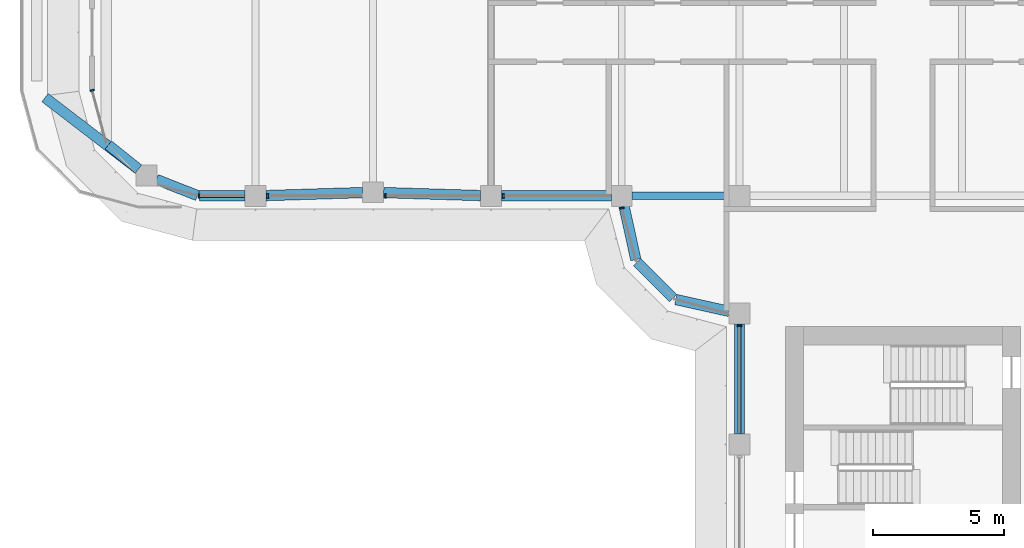
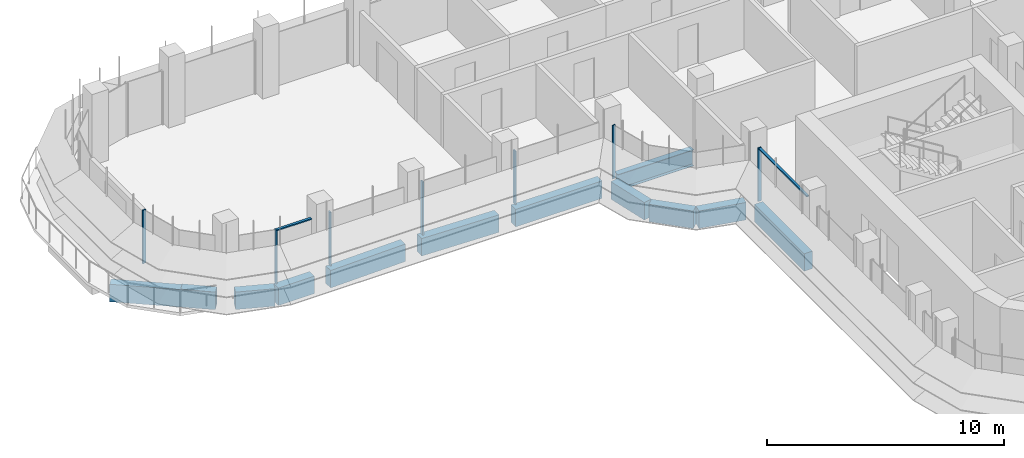
# One storey, part 3 of 20: 12 beams, 9 members, 4 elements without a shape of their own.
"""IFC4 building model written with IfcOpenShell, lengths in metres."""

from ifc_helpers import new_model, si_unit, direction, frame, origin, origin_2d, place, context, subcontext, project, spatial, polyline, rectangle, i_section, outline, extrude, source, transform, mapped, material, material_profile, profile_set, type_object, element, aggregate, save


model = new_model("IFC4")

# Units and contexts
model_context = context("Model", 3, precision=1e-05, world=origin(), true_north=direction((0.0, 1.0)))
body_context = subcontext(model_context, "Body", "Model", "MODEL_VIEW")
ifc_project = project(units=[si_unit("LENGTHUNIT", "METRE"), si_unit("AREAUNIT", "SQUARE_METRE"), si_unit("VOLUMEUNIT", "CUBIC_METRE"), si_unit("PLANEANGLEUNIT", "RADIAN"), si_unit("MASSUNIT", "GRAM", prefix="KILO")], contexts=[model_context])

# Site, building, storey
site_placement = place(None, origin())
site = spatial("IfcSite", under=ifc_project, at=site_placement, CompositionType="ELEMENT")
building_placement = place(site_placement, origin())
building = spatial("IfcBuilding", under=site, at=building_placement, Name="Zarbagh Exchange Tower", CompositionType="ELEMENT")
storey_placement = place(building_placement, frame((0.0, 0.0, 186.60009765625)))
storey = spatial("IfcBuildingStorey", under=building, at=storey_placement, Name="L45", CompositionType="ELEMENT", Elevation=186.60009765625)

# Beams
ifc_material_1 = material(Name="Steel ASTM A992 Gr 50", Category="steel")
ifc_material_profile_1 = material_profile(ifc_material_1, i_section(OverallWidth=0.2919921875, OverallDepth=0.835693359375, WebThickness=0.013916015625, FlangeThickness=0.018798828125, at=origin_2d()), Name="W33X118")
ifc_profile_set_1 = profile_set([ifc_material_profile_1], Name="Steel ASTM A992 Gr 50")
beam_type_1 = type_object("IfcBeamType", Name="Floor girder W33X118", PredefinedType="BEAM", material=ifc_profile_set_1)
beam_1_placement = place(storey_placement, frame((-10.35009765625, -6.25, -0.56787109375), z_axis=(1.0, 0.0, 0.0), x_axis=(0.0, 1.0, 0.0)))
element("IfcBeam", 1, at=beam_1_placement, inside=storey, type_object=beam_type_1, Name="Steel girder", PredefinedType="BEAM", context=body_context, shape_type="SweptSolid", body=[
    extrude(i_section(OverallWidth=0.2919921875, OverallDepth=0.835693359375, WebThickness=0.013916015625, FlangeThickness=0.018798828125, at=origin_2d()), origin(), (0.0, 0.0, 1.0), 3.7001953125),
])
ifc_material_2 = material(Name="Concrete C50/60", Category="concrete")
ifc_material_profile_2 = material_profile(ifc_material_2, rectangle(XDim=0.39990234375, YDim=0.89990234375, at=origin_2d()), Name="RC spandrel beam 400 x 900 C50/60")
ifc_profile_set_2 = profile_set([ifc_material_profile_2], Name="Concrete C50/60")
beam_type_2 = type_object("IfcBeamType", Name="RC spandrel beam 400 x 900 C50/60", PredefinedType="SPANDREL", material=ifc_profile_set_2)
beam_2_placement = place(storey_placement, frame((-6.25, -15.35009765625, -0.60009765625), z_axis=(0.0, 1.0, 0.0), x_axis=(-1.0, 0.0, 0.0)))
element("IfcBeam", 2, at=beam_2_placement, inside=storey, type_object=beam_type_2, Name="RC spandrel beam", PredefinedType="SPANDREL", context=body_context, shape_type="SweptSolid", body=[
    extrude(rectangle(XDim=0.39990234375, YDim=0.89990234375, at=origin_2d()), origin(), (0.0, 0.0, 1.0), 4.2001953125),
])
beam_3_placement = place(storey_placement, frame((-6.640625, -10.66357421875, -0.60009765625), z_axis=(-0.976384278741, 0.216041061437, 0.0), x_axis=(-0.216041061437, -0.976384278741, 0.0)))
element("IfcBeam", 3, at=beam_3_placement, inside=storey, type_object=beam_type_2, Name="RC spandrel beam", PredefinedType="SPANDREL", context=body_context, shape_type="SweptSolid", body=[
    extrude(rectangle(XDim=0.39990234375, YDim=0.89990234375, at=origin_2d()), origin(), (0.0, 0.0, 1.0), 2.0927734375),
])
beam_4_placement = place(storey_placement, frame((-8.782470703125, -10.15771484375, -0.60009765625), z_axis=(-0.707106781187, 0.707106781187, 0.0), x_axis=(-0.707106781187, -0.707106781187, 0.0)))
element("IfcBeam", 4, at=beam_4_placement, inside=storey, type_object=beam_type_2, Name="RC spandrel beam", PredefinedType="SPANDREL", context=body_context, shape_type="SweptSolid", body=[
    extrude(rectangle(XDim=0.39990234375, YDim=0.89990234375, at=origin_2d()), origin(), (0.0, 0.0, 1.0), 1.94482421875),
])
beam_5_placement = place(storey_placement, frame((-10.21142578125, -8.68408203125, -0.60009765625), z_axis=(-0.216041061437, 0.976384278741, 0.0), x_axis=(-0.976384278741, -0.216041061437, 0.0)))
element("IfcBeam", 5, at=beam_5_placement, inside=storey, type_object=beam_type_2, Name="RC spandrel beam", PredefinedType="SPANDREL", context=body_context, shape_type="SweptSolid", body=[
    extrude(rectangle(XDim=0.39990234375, YDim=0.89990234375, at=origin_2d()), origin(), (0.0, 0.0, 1.0), 2.0927734375),
])
beam_6_placement = place(storey_placement, frame((-11.14990234375, -6.25, -0.60009765625), z_axis=(-1.0, 0.0, 0.0), x_axis=(0.0, -1.0, 0.0)))
element("IfcBeam", 6, at=beam_6_placement, inside=storey, type_object=beam_type_2, Name="RC spandrel beam", PredefinedType="SPANDREL", context=body_context, shape_type="SweptSolid", body=[
    extrude(rectangle(XDim=0.39990234375, YDim=0.89990234375, at=origin_2d()), origin(), (0.0, 0.0, 1.0), 4.2001953125),
])
for number, where, z_axis, x_axis, name in (
    (7, (-16.14990234375, -6.237548828125, -0.60009765625), (-0.999515416033, 0.031127690444, 0.0), (-0.031127690444, -0.999515416033, 0.0), "RC spandrel beam"),
    (8, (-20.64990234375, -6.122314453125, -0.60009765625), (-0.999515416033, -0.031127690444, 0.0), (0.031127690444, -0.999515416033, 0.0), "RC spandrel beam"),
):
    element("IfcBeam", number, at=place(storey_placement, frame(where, z_axis=z_axis, x_axis=x_axis)), inside=storey, type_object=beam_type_2, Name=name, PredefinedType="SPANDREL", context=body_context, shape_type="SweptSolid", body=[
        extrude(rectangle(XDim=0.39990234375, YDim=0.89990234375, at=origin_2d()), origin(), (0.0, 0.0, 1.0), 3.701904296875),
    ])
beam_7_placement = place(storey_placement, frame((-25.14990234375, -6.25, -0.60009765625), z_axis=(-1.0, 0.0, 0.0), x_axis=(0.0, -1.0, 0.0)))
element("IfcBeam", 9, at=beam_7_placement, inside=storey, type_object=beam_type_2, Name="RC spandrel beam", PredefinedType="SPANDREL", context=body_context, shape_type="SweptSolid", body=[
    extrude(rectangle(XDim=0.39990234375, YDim=0.89990234375, at=origin_2d()), origin(), (0.0, 0.0, 1.0), 1.746337890625),
])
beam_8_placement = place(storey_placement, frame((-26.969482421875, -6.236083984375, -0.60009765625), z_axis=(-0.930809681556, 0.365504222578, 0.0), x_axis=(-0.365504222578, -0.930809681556, 0.0)))
element("IfcBeam", 10, at=beam_8_placement, inside=storey, type_object=beam_type_2, Name="RC spandrel beam", PredefinedType="SPANDREL", context=body_context, shape_type="SweptSolid", body=[
    extrude(rectangle(XDim=0.39990234375, YDim=0.89990234375, at=origin_2d()), origin(), (0.0, 0.0, 1.0), 1.6826171875),
])
beam_9_placement = place(storey_placement, frame((-29.22021484375, -5.22509765625, -0.60009765625), z_axis=(-0.780546373788, 0.625097879029, 0.0), x_axis=(-0.625097879029, -0.780546373788, 0.0)))
element("IfcBeam", 11, at=beam_9_placement, inside=storey, type_object=beam_type_2, Name="RC spandrel beam", PredefinedType="SPANDREL", context=body_context, shape_type="SweptSolid", body=[
    extrude(rectangle(XDim=0.39990234375, YDim=0.89990234375, at=origin_2d()), origin(), (0.0, 0.0, 1.0), 1.477783203125),
])
beam_10_placement = place(storey_placement, frame((-29.225341796875, -5.2314453125, -0.60009765625), z_axis=(-0.793279445536, 0.608857718429, 0.0), x_axis=(-0.608857718429, -0.793279445536, 0.0)))
element("IfcBeam", 12, at=beam_10_placement, inside=storey, type_object=beam_type_2, Name="RC spandrel beam", PredefinedType="SPANDREL", context=body_context, shape_type="SweptSolid", body=[
    extrude(rectangle(XDim=0.39990234375, YDim=0.89990234375, at=origin_2d()), origin(), (0.0, 0.0, 1.0), 4.4970703125),
])

# Curtain wall, member
ifc_material_3 = material(Name="Anodised aluminium frame and glazing", Category="aluminium")
curtain_wall_type = type_object("IfcCurtainWallType", Name="CWB Ribbon glazing, upper zones", PredefinedType="NOTDEFINED", material=ifc_material_3)
curtain_wall_1_placement = place(storey_placement, origin())
curtain_wall_1 = element("IfcCurtainWall", 13, at=curtain_wall_1_placement, inside=storey, type_object=curtain_wall_type, Name="CWB65 curtain wall", PredefinedType="NOTDEFINED")
ifc_material_4 = material(Name="Anodised aluminium frame", Category="aluminium")
member_type_1 = type_object("IfcMemberType", Name="TRB Transom, anodised aluminium frame", PredefinedType="USERDEFINED", material=ifc_material_4)
shared_shape_1 = source(origin(), body_context, "Body", "SweptSolid", [
    extrude(outline(polyline([(-0.06005859375, -0.06005859375), (0.0, -0.06005859375), (0.0, 0.06005859375), (-0.06005859375, 0.06005859375), (-0.06005859375, -0.06005859375)])), origin(), (0.0, 0.0, 1.0), 1.68408203125),
])
placement = place(storey_placement, origin())
member_1 = element("IfcMember", 14, at=placement, type_object=member_type_1, Name="CWB65 transom 1.1", ObjectType="TRANSOM", PredefinedType="USERDEFINED", context=body_context, shape_type="MappedRepresentation", body=[
    mapped(shared_shape_1, transform((-26.874267578125, -6.25, 2.75), x_axis=(0.0, 0.0, 1.0), y_axis=(0.0, -1.0, 0.0), z_axis=(1.0, 0.0, 0.0))),
])

curtain_wall_2_placement = place(storey_placement, origin())
curtain_wall_2 = element("IfcCurtainWall", 15, at=curtain_wall_2_placement, inside=storey, type_object=curtain_wall_type, Name="CWB62 curtain wall", PredefinedType="NOTDEFINED")
member_type_2 = type_object("IfcMemberType", Name="MUB Mullion, anodised aluminium frame", PredefinedType="MULLION", material=ifc_material_4)
shared_shape_2 = source(origin(), body_context, "Body", "SweptSolid", [
    extrude(outline(polyline([(0.0, -0.080078125), (0.06005859375, -0.080078125), (0.06005859375, 0.080078125), (0.0, 0.080078125), (0.0, -0.080078125)])), origin(), (0.0, 0.0, 1.0), 2.75),
])
member_2 = element("IfcMember", 16, at=placement, type_object=member_type_2, Name="CWB62 mullion 1.1", PredefinedType="MULLION", context=body_context, shape_type="MappedRepresentation", body=[
    mapped(shared_shape_2, transform((-31.0, -2.18408203125, 0.0), x_axis=(0.258824779902, -0.965924289636, 0.0), y_axis=(0.965924289636, 0.258824779902, 0.0), z_axis=(0.0, 0.0, 1.0))),
])
aggregate(curtain_wall_2, [member_2])

# Member
member_3 = element("IfcMember", 17, at=placement, type_object=member_type_2, Name="CWB65 mullion 1.1", PredefinedType="MULLION", context=body_context, shape_type="MappedRepresentation", body=[
    mapped(shared_shape_2, transform((-26.93408203125, -6.25, 0.0), x_axis=(1.0, 0.0, 0.0), y_axis=(0.0, 1.0, 0.0), z_axis=(0.0, 0.0, 1.0))),
])

member_4 = element("IfcMember", 18, at=placement, type_object=member_type_2, Name="CWB65 mullion 2.1", PredefinedType="MULLION", context=body_context, shape_type="MappedRepresentation", body=[
    mapped(shared_shape_2, transform((-24.31005859375, -6.25, 0.0), x_axis=(1.0, 0.0, 0.0), y_axis=(0.0, 1.0, 0.0), z_axis=(0.0, 0.0, 1.0))),
])

member_5 = element("IfcMember", 19, at=placement, type_object=member_type_2, Name="CWB65 mullion 3.1", PredefinedType="MULLION", context=body_context, shape_type="MappedRepresentation", body=[
    mapped(shared_shape_2, transform((-19.81005859375, -6.25, 0.0), x_axis=(1.0, 0.0, 0.0), y_axis=(0.0, 1.0, 0.0), z_axis=(0.0, 0.0, 1.0))),
])

member_6 = element("IfcMember", 20, at=placement, type_object=member_type_2, Name="CWB65 mullion 4.1", PredefinedType="MULLION", context=body_context, shape_type="MappedRepresentation", body=[
    mapped(shared_shape_2, transform((-15.31005859375, -6.25, 0.0), x_axis=(1.0, 0.0, 0.0), y_axis=(0.0, 1.0, 0.0), z_axis=(0.0, 0.0, 1.0))),
])

aggregate(curtain_wall_1, [member_3, member_1, member_4, member_5, member_6])

# Curtain wall, member
curtain_wall_3_placement = place(storey_placement, origin())
curtain_wall_3 = element("IfcCurtainWall", 21, at=curtain_wall_3_placement, inside=storey, type_object=curtain_wall_type, Name="CWB41 curtain wall", PredefinedType="NOTDEFINED")
member_7 = element("IfcMember", 22, at=placement, type_object=member_type_2, Name="CWB41 mullion 1.1", PredefinedType="MULLION", context=body_context, shape_type="MappedRepresentation", body=[
    mapped(shared_shape_2, transform((-10.74853515625, -6.68994140625, 0.0), x_axis=(0.258824779902, -0.965924289636, 0.0), y_axis=(0.965924289636, 0.258824779902, 0.0), z_axis=(0.0, 0.0, 1.0))),
])
aggregate(curtain_wall_3, [member_7])

# Curtain wall, members
curtain_wall_4_placement = place(storey_placement, origin())
curtain_wall_4 = element("IfcCurtainWall", 23, at=curtain_wall_4_placement, inside=storey, type_object=curtain_wall_type, Name="CWB53 curtain wall", PredefinedType="NOTDEFINED")
member_8 = element("IfcMember", 24, at=placement, type_object=member_type_2, Name="CWB53 mullion 1.1", PredefinedType="MULLION", context=body_context, shape_type="MappedRepresentation", body=[
    mapped(shared_shape_2, transform((-6.25, -11.18994140625, 0.0), x_axis=(0.0, -1.0, 0.0), y_axis=(1.0, 0.0, 0.0), z_axis=(0.0, 0.0, 1.0))),
])
shared_shape_3 = source(origin(), body_context, "Body", "SweptSolid", [
    extrude(outline(polyline([(-0.06005859375, -0.06005859375), (0.0, -0.06005859375), (0.0, 0.06005859375), (-0.06005859375, 0.06005859375), (-0.06005859375, -0.06005859375)])), origin(), (0.0, 0.0, 1.0), 4.06005859375),
])
member_9 = element("IfcMember", 25, at=placement, type_object=member_type_1, Name="CWB53 transom 1.1", ObjectType="TRANSOM", PredefinedType="USERDEFINED", context=body_context, shape_type="MappedRepresentation", body=[
    mapped(shared_shape_3, transform((-6.25, -11.25, 2.75), x_axis=(0.0, 0.0, 1.0), y_axis=(-1.0, 0.0, 0.0), z_axis=(0.0, -1.0, 0.0))),
])
aggregate(curtain_wall_4, [member_8, member_9])

save(model, "model.ifc")
